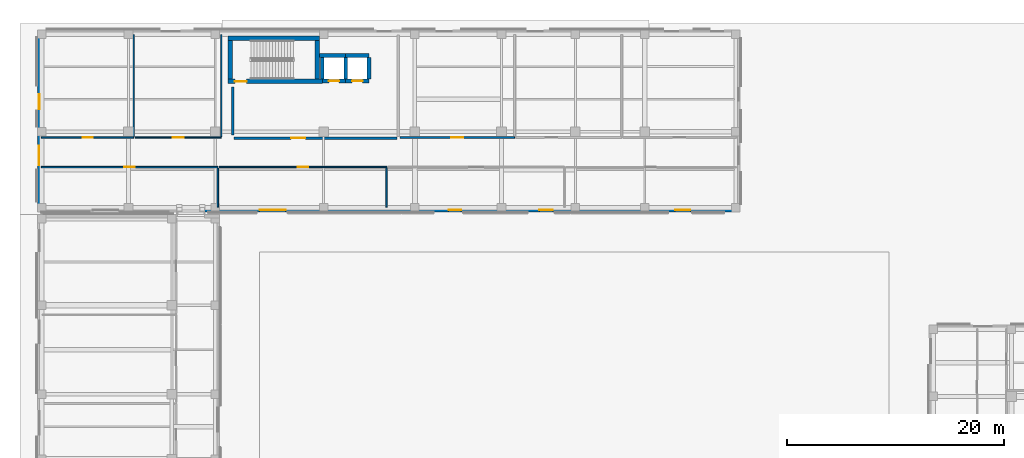
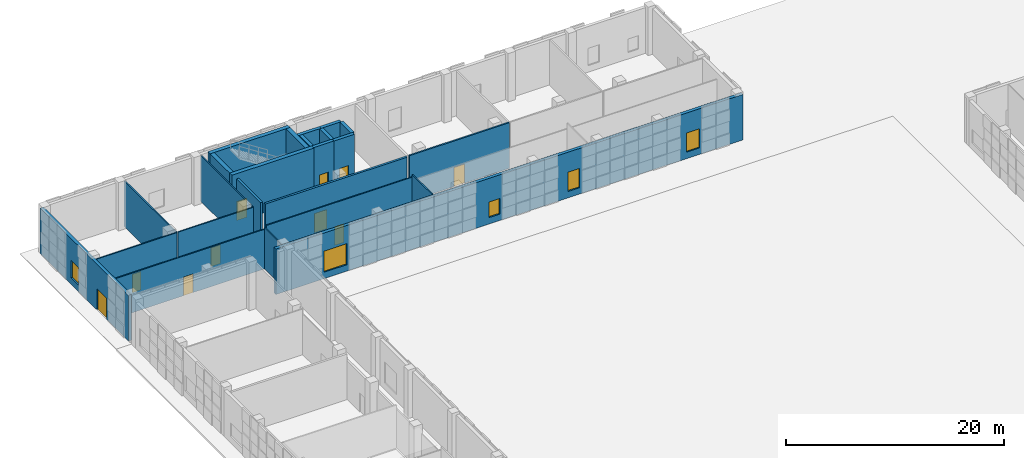
# One storey, part 14 of 40: 24 walls, 10 doors, 5 windows, 15 openings.
"""IFC4 building model written with IfcOpenShell, lengths in metres."""

from ifc_helpers import new_model, si_unit, direction, frame, frame_2d, origin, place, context, subcontext, project, spatial, rectangle, extrude, material, layer, layer_set, type_object, element, fill, save


model = new_model("IFC4")

# Units and contexts
model_context = context("Model", 3, precision=1e-05, world=origin(), true_north=direction((0.0, 1.0)))
body_context = subcontext(model_context, "Body", "Model", "MODEL_VIEW")
ifc_project = project(units=[si_unit("LENGTHUNIT", "METRE"), si_unit("AREAUNIT", "SQUARE_METRE"), si_unit("VOLUMEUNIT", "CUBIC_METRE"), si_unit("PLANEANGLEUNIT", "RADIAN"), si_unit("MASSUNIT", "GRAM", prefix="KILO")], contexts=[model_context])

# Site, building, storey
site_placement = place(None, origin())
site = spatial("IfcSite", under=ifc_project, at=site_placement, CompositionType="ELEMENT")
building_placement = place(site_placement, origin())
building = spatial("IfcBuilding", under=site, at=building_placement, Name="Qalavern Law Courts", CompositionType="ELEMENT")
storey_placement = place(building_placement, origin())
storey = spatial("IfcBuildingStorey", under=building, at=storey_placement, Name="L00", CompositionType="ELEMENT", Elevation=0.0)

# Wall, openings, windows
ifc_material_1 = material(Name="Concrete C40/50", Category="concrete")
ifc_layer_1 = layer(ifc_material_1, 0.340087890625)
ifc_layer_set_1 = layer_set([ifc_layer_1], Name="Concrete C40/50")
wall_type_1 = type_object("IfcWallType", Name="ENV-EW-340", PredefinedType="SOLIDWALL", material=ifc_layer_set_1)
wall_1_placement = place(storey_placement, frame((17.39990234375, 96.3701171875, 0.0), z_axis=(0.0, 0.0, 1.0), x_axis=(1.0, 0.0, 0.0)))
wall_1 = element("IfcWall", 1, at=wall_1_placement, inside=storey, type_object=wall_type_1, Name="V5 exterior wall L00 south 2", PredefinedType="SOLIDWALL", context=body_context, shape_type="SweptSolid", body=[
    extrude(rectangle(XDim=49.400146484375, YDim=0.340087890625, at=frame_2d((24.7001953125, 0.0))), origin(), (0.0, 0.0, 1.0), 5.10009765625),
])
opening_1_placement = place(wall_1_placement, frame((5.10009765625, 0.0, 0.719970703125)))
opening_1 = element("IfcOpeningElement", 2, at=opening_1_placement, cuts=wall_1, Name="Opening WN-38", PredefinedType="OPENING", context=body_context, shape_type="SweptSolid", body=[
    extrude(rectangle(XDim=2.39990234375, YDim=2.35009765625, at=frame_2d((1.199951171875, 1.175048828125))), frame((0.0, 0.18505859375, 0.0), z_axis=(0.0, -1.0, 0.0), x_axis=(1.0, 0.0, 0.0)), (0.0, 0.0, 1.0), 0.369873046875),
])
opening_2_placement = place(wall_1_placement, frame((22.52490234375, 0.0, 0.719970703125)))
opening_2 = element("IfcOpeningElement", 3, at=opening_2_placement, cuts=wall_1, Name="Opening WN-09", PredefinedType="OPENING", context=body_context, shape_type="SweptSolid", body=[
    extrude(rectangle(XDim=1.14990234375, YDim=1.75, at=frame_2d((0.574951171875, 0.875))), frame((0.0, 0.18505859375, 0.0), z_axis=(0.0, -1.0, 0.0), x_axis=(1.0, 0.0, 0.0)), (0.0, 0.0, 1.0), 0.369873046875),
])
opening_3_placement = place(wall_1_placement, frame((30.875, 0.0, 0.719970703125)))
opening_3 = element("IfcOpeningElement", 4, at=opening_3_placement, cuts=wall_1, Name="Opening WN-25", PredefinedType="OPENING", context=body_context, shape_type="SweptSolid", body=[
    extrude(rectangle(XDim=1.25, YDim=2.14990234375, at=frame_2d((0.625, 1.074951171875))), frame((0.0, 0.18505859375, 0.0), z_axis=(0.0, -1.0, 0.0), x_axis=(1.0, 0.0, 0.0)), (0.0, 0.0, 1.0), 0.369873046875),
])
opening_4_placement = place(wall_1_placement, frame((43.39990234375, 0.0, 0.719970703125)))
opening_4 = element("IfcOpeningElement", 5, at=opening_4_placement, cuts=wall_1, Name="Opening WN-26", PredefinedType="OPENING", context=body_context, shape_type="SweptSolid", body=[
    extrude(rectangle(XDim=1.39990234375, YDim=2.14990234375, at=frame_2d((0.699951171875, 1.074951171875))), frame((0.0, 0.18505859375, 0.0), z_axis=(0.0, -1.0, 0.0), x_axis=(1.0, 0.0, 0.0)), (0.0, 0.0, 1.0), 0.369873046875),
])
ifc_material_2 = material(Name="Anodised aluminium frame with low-E double glazing", Category="aluminium")
window_type_1 = type_object("IfcWindowType", Name="ENV-WIN-1150x1750", PartitioningType="SINGLE_PANEL", PredefinedType="WINDOW", material=ifc_material_2)
window_1_placement = place(opening_2_placement, origin())
window_1 = element("IfcWindow", 6, at=window_1_placement, inside=storey, type_object=window_type_1, Name="V5 window L00 south 6", OverallHeight=1.75, OverallWidth=1.14990234375, PartitioningType="SINGLE_PANEL", PredefinedType="WINDOW", context=body_context, shape_type="SweptSolid", body=[
    extrude(rectangle(XDim=1.14990234375, YDim=1.75, at=frame_2d((0.574951171875, 0.875))), frame((0.0, 0.030029296875, 0.0), z_axis=(0.0, -1.0, 0.0), x_axis=(1.0, 0.0, 0.0)), (0.0, 0.0, 1.0), 0.06005859375),
])
fill(opening_2, window_1)
window_type_2 = type_object("IfcWindowType", Name="ENV-WIN-1250x2150", PartitioningType="SINGLE_PANEL", PredefinedType="WINDOW", material=ifc_material_2)
window_2_placement = place(opening_3_placement, origin())
window_2 = element("IfcWindow", 7, at=window_2_placement, inside=storey, type_object=window_type_2, Name="V5 window L00 south 8", OverallHeight=2.14990234375, OverallWidth=1.25, PartitioningType="SINGLE_PANEL", PredefinedType="WINDOW", context=body_context, shape_type="SweptSolid", body=[
    extrude(rectangle(XDim=1.25, YDim=2.14990234375, at=frame_2d((0.625, 1.074951171875))), frame((0.0, 0.030029296875, 0.0), z_axis=(0.0, -1.0, 0.0), x_axis=(1.0, 0.0, 0.0)), (0.0, 0.0, 1.0), 0.06005859375),
])
fill(opening_3, window_2)
window_type_3 = type_object("IfcWindowType", Name="ENV-WIN-1400x2150", PartitioningType="SINGLE_PANEL", PredefinedType="WINDOW", material=ifc_material_2)
window_3_placement = place(opening_4_placement, origin())
window_3 = element("IfcWindow", 8, at=window_3_placement, inside=storey, type_object=window_type_3, Name="V5 window L00 south 11", OverallHeight=2.14990234375, OverallWidth=1.39990234375, PartitioningType="SINGLE_PANEL", PredefinedType="WINDOW", context=body_context, shape_type="SweptSolid", body=[
    extrude(rectangle(XDim=1.39990234375, YDim=2.14990234375, at=frame_2d((0.699951171875, 1.074951171875))), frame((0.0, 0.030029296875, 0.0), z_axis=(0.0, -1.0, 0.0), x_axis=(1.0, 0.0, 0.0)), (0.0, 0.0, 1.0), 0.06005859375),
])
fill(opening_4, window_3)
window_type_4 = type_object("IfcWindowType", Name="ENV-WIN-2400x2350", PartitioningType="SINGLE_PANEL", PredefinedType="WINDOW", material=ifc_material_2)
window_4_placement = place(opening_1_placement, origin())
window_4 = element("IfcWindow", 9, at=window_4_placement, inside=storey, type_object=window_type_4, Name="V5 window L00 south 2", OverallHeight=2.35009765625, OverallWidth=2.39990234375, PartitioningType="SINGLE_PANEL", PredefinedType="WINDOW", context=body_context, shape_type="SweptSolid", body=[
    extrude(rectangle(XDim=2.39990234375, YDim=2.35009765625, at=frame_2d((1.199951171875, 1.175048828125))), frame((0.0, 0.030029296875, 0.0), z_axis=(0.0, -1.0, 0.0), x_axis=(1.0, 0.0, 0.0)), (0.0, 0.0, 1.0), 0.06005859375),
])
fill(opening_1, window_4)

# Wall, openings, door, window
wall_2_placement = place(storey_placement, frame((2.169921875, 112.6650390625, 0.0), z_axis=(0.0, 0.0, 1.0), x_axis=(0.0, -1.0, 0.0)))
wall_2 = element("IfcWall", 10, at=wall_2_placement, inside=storey, type_object=wall_type_1, Name="V5 exterior wall L00 west 1", PredefinedType="SOLIDWALL", context=body_context, shape_type="SweptSolid", body=[
    extrude(rectangle(XDim=16.130126953125, YDim=0.340087890625, at=frame_2d((8.06494140625, 0.0))), origin(), (0.0, 0.0, 1.0), 5.10009765625),
])
opening_5_placement = place(wall_2_placement, frame((10.364990234375, 0.0, 0.0)))
opening_5 = element("IfcOpeningElement", 11, at=opening_5_placement, cuts=wall_2, Name="Opening ED-CORR-V5W", PredefinedType="OPENING", context=body_context, shape_type="SweptSolid", body=[
    extrude(rectangle(XDim=1.800048828125, YDim=2.3798828125, at=frame_2d((0.89990234375, 1.18994140625))), frame((0.0, 0.18505859375, 0.0), z_axis=(0.0, -1.0, 0.0), x_axis=(1.0, 0.0, 0.0)), (0.0, 0.0, 1.0), 0.369873046875),
])
opening_6_placement = place(wall_2_placement, frame((5.625, 0.0, 0.719970703125)))
opening_6 = element("IfcOpeningElement", 12, at=opening_6_placement, cuts=wall_2, Name="Opening WN-18", PredefinedType="OPENING", context=body_context, shape_type="SweptSolid", body=[
    extrude(rectangle(XDim=1.35009765625, YDim=1.949951171875, at=frame_2d((0.675048828125, 0.97509765625))), frame((0.0, 0.18505859375, 0.0), z_axis=(0.0, -1.0, 0.0), x_axis=(1.0, 0.0, 0.0)), (0.0, 0.0, 1.0), 0.369873046875),
])
ifc_material_3 = material(Name="Thermally broken anodised aluminium and laminated safety glass", Category="aluminium")
door_type_1 = type_object("IfcDoorType", Name="ENV-ED-1800x2380", OperationType="DOUBLE_DOOR_SINGLE_SWING", PredefinedType="DOOR", material=ifc_material_3)
door_1_placement = place(opening_5_placement, frame((1.800048828125, 0.0, 0.0), z_axis=(0.0, 0.0, 1.0), x_axis=(-1.0, 0.0, 0.0)))
door_1 = element("IfcDoor", 13, at=door_1_placement, inside=storey, type_object=door_type_1, Name="Ground pedestrian exit door ED-CORR-V5W", OperationType="DOUBLE_DOOR_SINGLE_SWING", OverallHeight=2.3798828125, OverallWidth=1.800048828125, PredefinedType="DOOR", context=body_context, shape_type="SweptSolid", body=[
    extrude(rectangle(XDim=1.800048828125, YDim=2.3798828125, at=frame_2d((0.89990234375, 1.18994140625))), frame((0.0, 0.02490234375, 0.0), z_axis=(0.0, -1.0, 0.0), x_axis=(1.0, 0.0, 0.0)), (0.0, 0.0, 1.0), 0.050048828125),
])
fill(opening_5, door_1)
window_type_5 = type_object("IfcWindowType", Name="ENV-WIN-1350x1950", PartitioningType="SINGLE_PANEL", PredefinedType="WINDOW", material=ifc_material_2)
window_5_placement = place(opening_6_placement, origin())
window_5 = element("IfcWindow", 14, at=window_5_placement, inside=storey, type_object=window_type_5, Name="V5 window L00 west 2", OverallHeight=1.949951171875, OverallWidth=1.35009765625, PartitioningType="SINGLE_PANEL", PredefinedType="WINDOW", context=body_context, shape_type="SweptSolid", body=[
    extrude(rectangle(XDim=1.35009765625, YDim=1.949951171875, at=frame_2d((0.675048828125, 0.97509765625))), frame((0.0, 0.030029296875, 0.0), z_axis=(0.0, -1.0, 0.0), x_axis=(1.0, 0.0, 0.0)), (0.0, 0.0, 1.0), 0.06005859375),
])
fill(opening_6, window_5)

# Wall, opening, door
ifc_material_4 = material(Name="Concrete C45/55", Category="concrete")
ifc_layer_2 = layer(ifc_material_4, 0.4150390625)
ifc_layer_set_2 = layer_set([ifc_layer_2], Name="Concrete C45/55")
wall_type_2 = type_object("IfcWallType", Name="INT-CW-415", PredefinedType="SHEAR", material=ifc_layer_set_2)
wall_3_placement = place(storey_placement, frame((19.5849609375, 108.242431640625, 0.0), z_axis=(0.0, 0.0, 1.0), x_axis=(1.0, 0.0, 0.0)))
wall_3 = element("IfcWall", 15, at=wall_3_placement, inside=storey, type_object=wall_type_2, Name="Core K3 stair shear wall L00 south", PredefinedType="SHEAR", context=body_context, shape_type="SweptSolid", body=[
    extrude(rectangle(XDim=8.689453125, YDim=0.4150390625, at=frame_2d((4.3447265625, 0.0))), origin(), (0.0, 0.0, 1.0), 5.39990234375),
])
opening_7_placement = place(wall_3_placement, frame((0.614990234375, 0.0, 0.0)))
opening_7 = element("IfcOpeningElement", 16, at=opening_7_placement, cuts=wall_3, Name="Opening L00-D073", PredefinedType="OPENING", context=body_context, shape_type="SweptSolid", body=[
    extrude(rectangle(XDim=1.10009765625, YDim=2.14990234375, at=frame_2d((0.550048828125, 1.074951171875))), frame((0.0, 0.222412109375, 0.0), z_axis=(0.0, -1.0, 0.0), x_axis=(1.0, 0.0, 0.0)), (0.0, 0.0, 1.0), 0.44482421875),
])
ifc_material_5 = material(Name="Steel fire-rated stair enclosure door", Category="steel")
door_type_2 = type_object("IfcDoorType", Name="INT-FD-1100x2150", OperationType="NOTDEFINED", PredefinedType="DOOR", material=ifc_material_5)
door_2_placement = place(opening_7_placement, frame((1.10009765625, 0.0, 0.0), z_axis=(0.0, 0.0, 1.0), x_axis=(-1.0, 0.0, 0.0)))
door_2 = element("IfcDoor", 17, at=door_2_placement, inside=storey, type_object=door_type_2, Name="Stair K3 fire door L00", OperationType="SINGLE_SWING_LEFT", OverallHeight=2.14990234375, OverallWidth=1.10009765625, PredefinedType="DOOR", context=body_context, shape_type="SweptSolid", body=[
    extrude(rectangle(XDim=1.10009765625, YDim=2.14990234375, at=frame_2d((0.550048828125, 1.074951171875))), frame((0.0, 0.02490234375, 0.0), z_axis=(0.0, -1.0, 0.0), x_axis=(1.0, 0.0, 0.0)), (0.0, 0.0, 1.0), 0.050048828125),
])
fill(opening_7, door_2)

# Walls
wall_4_placement = place(storey_placement, frame((27.8076171875, 108.449951171875, 0.0), z_axis=(0.0, 0.0, 1.0), x_axis=(0.0, 1.0, 0.0)))
element("IfcWall", 18, at=wall_4_placement, inside=storey, type_object=wall_type_2, Name="Core K3 stair shear wall L00 east", PredefinedType="SHEAR", context=body_context, shape_type="SweptSolid", body=[
    extrude(rectangle(XDim=3.550048828125, YDim=0.4150390625, at=frame_2d((1.77490234375, 0.0))), origin(), (0.0, 0.0, 1.0), 5.39990234375),
])
wall_5_placement = place(storey_placement, frame((28.014892578125, 112.20751953125, 0.0), z_axis=(0.0, 0.0, 1.0), x_axis=(-1.0, 0.0, 0.0)))
element("IfcWall", 19, at=wall_5_placement, inside=storey, type_object=wall_type_2, Name="Core K3 stair shear wall L00 north", PredefinedType="SHEAR", context=body_context, shape_type="SweptSolid", body=[
    extrude(rectangle(XDim=8.429931640625, YDim=0.4150390625, at=frame_2d((4.21484375, 0.0))), origin(), (0.0, 0.0, 1.0), 5.39990234375),
])
wall_6_placement = place(storey_placement, frame((19.79248046875, 112.0, 0.0), z_axis=(0.0, 0.0, 1.0), x_axis=(0.0, -1.0, 0.0)))
element("IfcWall", 20, at=wall_6_placement, inside=storey, type_object=wall_type_2, Name="Core K3 stair shear wall L00 west", PredefinedType="SHEAR", context=body_context, shape_type="SweptSolid", body=[
    extrude(rectangle(XDim=3.550048828125, YDim=0.4150390625, at=frame_2d((1.77490234375, 0.0))), origin(), (0.0, 0.0, 1.0), 5.39990234375),
])

# Wall, opening, door
ifc_layer_3 = layer(ifc_material_1, 0.22509765625)
ifc_layer_set_3 = layer_set([ifc_layer_3], Name="Concrete C40/50")
wall_type_3 = type_object("IfcWallType", Name="INT-FW-225", PredefinedType="PARTITIONING", material=ifc_layer_set_3)
wall_7_placement = place(storey_placement, frame((20.14990234375, 103.0, 0.0), z_axis=(0.0, 0.0, 1.0), x_axis=(1.0, 0.0, 0.0)))
wall_7 = element("IfcWall", 21, at=wall_7_placement, inside=storey, type_object=wall_type_3, Name="Core K3 firefighting/stair lobby fire wall L00", PredefinedType="PARTITIONING", context=body_context, shape_type="SweptSolid", body=[
    extrude(rectangle(XDim=15.0, YDim=0.22509765625, at=frame_2d((7.5, 0.0))), origin(), (0.0, 0.0, 1.0), 5.10009765625),
])
opening_8_placement = place(wall_7_placement, frame((5.25, 0.0, 0.0)))
opening_8 = element("IfcOpeningElement", 22, at=opening_8_placement, cuts=wall_7, Name="Opening L00-D074", PredefinedType="OPENING", context=body_context, shape_type="SweptSolid", body=[
    extrude(rectangle(XDim=1.300048828125, YDim=2.14990234375, at=frame_2d((0.64990234375, 1.074951171875))), frame((0.0, 0.12744140625, 0.0), z_axis=(0.0, -1.0, 0.0), x_axis=(1.0, 0.0, 0.0)), (0.0, 0.0, 1.0), 0.2548828125),
])
ifc_material_6 = material(Name="Steel fire-rated frame and acoustic timber leaves", Category="steel")
door_type_3 = type_object("IfcDoorType", Name="INT-FD-1300x2150", OperationType="DOUBLE_DOOR_SINGLE_SWING", PredefinedType="DOOR", material=ifc_material_6)
door_3_placement = place(opening_8_placement, origin())
door_3 = element("IfcDoor", 23, at=door_3_placement, inside=storey, type_object=door_type_3, Name="Core K3 lobby fire door L00", OperationType="DOUBLE_DOOR_SINGLE_SWING", OverallHeight=2.14990234375, OverallWidth=1.300048828125, PredefinedType="DOOR", context=body_context, shape_type="SweptSolid", body=[
    extrude(rectangle(XDim=1.300048828125, YDim=2.14990234375, at=frame_2d((0.64990234375, 1.074951171875))), frame((0.0, 0.02490234375, 0.0), z_axis=(0.0, -1.0, 0.0), x_axis=(1.0, 0.0, 0.0)), (0.0, 0.0, 1.0), 0.050048828125),
])
fill(opening_8, door_3)

# Wall
wall_8_placement = place(storey_placement, frame((20.0, 103.300048828125, 0.0), z_axis=(0.0, 0.0, 1.0), x_axis=(0.0, 1.0, 0.0)))
element("IfcWall", 24, at=wall_8_placement, inside=storey, type_object=wall_type_3, Name="Core K3 lobby return wall L00 west", PredefinedType="PARTITIONING", context=body_context, shape_type="SweptSolid", body=[
    extrude(rectangle(XDim=4.39990234375, YDim=0.22509765625, at=frame_2d((2.199951171875, 0.0))), origin(), (0.0, 0.0, 1.0), 5.10009765625),
])

# Wall, opening, door
ifc_material_7 = material(Name="Gypsum stud partition")
ifc_layer_4 = layer(ifc_material_7, 0.1220703125)
ifc_layer_set_4 = layer_set([ifc_layer_4], Name="Gypsum stud partition")
wall_type_4 = type_object("IfcWallType", Name="INT-PW-122", PredefinedType="PARTITIONING", material=ifc_layer_set_4)
wall_9_placement = place(storey_placement, frame((18.7548828125, 100.340087890625, 0.0), z_axis=(0.0, 0.0, 1.0), x_axis=(1.0, 0.0, 0.0)))
wall_9 = element("IfcWall", 25, at=wall_9_placement, inside=storey, type_object=wall_type_4, Name="Court Administration Office corridor partition L00", PredefinedType="PARTITIONING", context=body_context, shape_type="SweptSolid", body=[
    extrude(rectangle(XDim=15.447021484375, YDim=0.1220703125, at=frame_2d((7.7236328125, 0.0))), origin(), (0.0, 0.0, 1.0), 4.780029296875),
])
opening_9_placement = place(wall_9_placement, frame((7.243408203125, 0.0, 0.0)))
opening_9 = element("IfcOpeningElement", 26, at=opening_9_placement, cuts=wall_9, Name="Opening L00-D342", PredefinedType="OPENING", context=body_context, shape_type="SweptSolid", body=[
    extrude(rectangle(XDim=0.9599609375, YDim=2.080078125, at=frame_2d((0.47998046875, 1.0400390625))), frame((0.0, 0.075927734375, 0.0), z_axis=(0.0, -1.0, 0.0), x_axis=(1.0, 0.0, 0.0)), (0.0, 0.0, 1.0), 0.15185546875),
])
ifc_material_8 = material(Name="Timber Counsel Consultation door", Category="wood")
door_type_4 = type_object("IfcDoorType", Name="INT-ID-960x2080", OperationType="NOTDEFINED", PredefinedType="DOOR", material=ifc_material_8)
door_4_placement = place(opening_9_placement, frame((0.9599609375, 0.0, 0.0), z_axis=(0.0, 0.0, 1.0), x_axis=(-1.0, 0.0, 0.0)))
door_4 = element("IfcDoor", 27, at=door_4_placement, inside=storey, type_object=door_type_4, Name="Court Administration Office door L00", OperationType="SINGLE_SWING_LEFT", OverallHeight=2.080078125, OverallWidth=0.9599609375, PredefinedType="DOOR", context=body_context, shape_type="SweptSolid", body=[
    extrude(rectangle(XDim=0.9599609375, YDim=2.080078125, at=frame_2d((0.47998046875, 1.0400390625))), frame((0.0, 0.02490234375, 0.0), z_axis=(0.0, -1.0, 0.0), x_axis=(1.0, 0.0, 0.0)), (0.0, 0.0, 1.0), 0.050048828125),
])
fill(opening_9, door_4)

# Wall
wall_10_placement = place(storey_placement, frame((34.201904296875, 96.639892578125, 0.0), z_axis=(0.0, 0.0, 1.0), x_axis=(0.0, 1.0, 0.0)))
element("IfcWall", 28, at=wall_10_placement, inside=storey, type_object=wall_type_4, Name="Court Administration Office cross partition L00 east", PredefinedType="PARTITIONING", context=body_context, shape_type="SweptSolid", body=[
    extrude(rectangle(XDim=3.619140625, YDim=0.1220703125, at=frame_2d((1.8095703125, 0.0))), origin(), (0.0, 0.0, 1.0), 5.10009765625),
])

# Wall, opening, door
wall_11_placement = place(storey_placement, frame((11.0048828125, 103.06005859375, 0.0), z_axis=(0.0, 0.0, 1.0), x_axis=(1.0, 0.0, 0.0)))
wall_11 = element("IfcWall", 29, at=wall_11_placement, inside=storey, type_object=wall_type_4, Name="Judicial Entrance Hall corridor partition L00", PredefinedType="PARTITIONING", context=body_context, shape_type="SweptSolid", body=[
    extrude(rectangle(XDim=7.955078125, YDim=0.1220703125, at=frame_2d((3.9775390625, 0.0))), origin(), (0.0, 0.0, 1.0), 5.10009765625),
])
opening_10_placement = place(wall_11_placement, frame((3.4775390625, 0.0, 0.0)))
opening_10 = element("IfcOpeningElement", 30, at=opening_10_placement, cuts=wall_11, Name="Opening L00-D349", PredefinedType="OPENING", context=body_context, shape_type="SweptSolid", body=[
    extrude(rectangle(XDim=1.0, YDim=2.10009765625, at=frame_2d((0.5, 1.050048828125))), frame((0.0, 0.075927734375, 0.0), z_axis=(0.0, -1.0, 0.0), x_axis=(1.0, 0.0, 0.0)), (0.0, 0.0, 1.0), 0.15185546875),
])
ifc_material_9 = material(Name="Timber Judicial Clerks' Office door", Category="wood")
door_type_5 = type_object("IfcDoorType", Name="INT-ID-1000x2100", OperationType="NOTDEFINED", PredefinedType="DOOR", material=ifc_material_9)
door_5_placement = place(opening_10_placement, origin())
door_5 = element("IfcDoor", 31, at=door_5_placement, inside=storey, type_object=door_type_5, Name="Judicial Entrance Hall door L00", OperationType="SINGLE_SWING_RIGHT", OverallHeight=2.10009765625, OverallWidth=1.0, PredefinedType="DOOR", context=body_context, shape_type="SweptSolid", body=[
    extrude(rectangle(XDim=1.0, YDim=2.10009765625, at=frame_2d((0.5, 1.050048828125))), frame((0.0, 0.02490234375, 0.0), z_axis=(0.0, -1.0, 0.0), x_axis=(1.0, 0.0, 0.0)), (0.0, 0.0, 1.0), 0.050048828125),
])
fill(opening_10, door_5)

# Wall
wall_12_placement = place(storey_placement, frame((18.9599609375, 103.14111328125, 0.0), z_axis=(0.0, 0.0, 1.0), x_axis=(0.0, 1.0, 0.0)))
element("IfcWall", 32, at=wall_12_placement, inside=storey, type_object=wall_type_4, Name="Judicial Entrance Hall cross partition L00 east", PredefinedType="PARTITIONING", context=body_context, shape_type="SweptSolid", body=[
    extrude(rectangle(XDim=9.4189453125, YDim=0.1220703125, at=frame_2d((4.70947265625, 0.0))), origin(), (0.0, 0.0, 1.0), 5.10009765625),
])

# Wall, opening, door
ifc_layer_5 = layer(ifc_material_7, 0.132080078125)
ifc_layer_set_5 = layer_set([ifc_layer_5], Name="Gypsum stud partition")
wall_type_5 = type_object("IfcWallType", Name="INT-PW-132", PredefinedType="PARTITIONING", material=ifc_layer_set_5)
wall_13_placement = place(storey_placement, frame((2.3798828125, 100.340087890625, 0.0), z_axis=(0.0, 0.0, 1.0), x_axis=(1.0, 0.0, 0.0)))
wall_13 = element("IfcWall", 33, at=wall_13_placement, inside=storey, type_object=wall_type_5, Name="Judicial Entrance Hall corridor partition L00", PredefinedType="PARTITIONING", context=body_context, shape_type="SweptSolid", body=[
    extrude(rectangle(XDim=16.255126953125, YDim=0.132080078125, at=frame_2d((8.12744140625, 0.0))), origin(), (0.0, 0.0, 1.0), 4.429931640625),
])
opening_11_placement = place(wall_13_placement, frame((7.637451171875, 0.0, 0.0)))
opening_11 = element("IfcOpeningElement", 34, at=opening_11_placement, cuts=wall_13, Name="Opening L00-D341", PredefinedType="OPENING", context=body_context, shape_type="SweptSolid", body=[
    extrude(rectangle(XDim=0.97998046875, YDim=2.090087890625, at=frame_2d((0.489990234375, 1.044921875))), frame((0.0, 0.0810546875, 0.0), z_axis=(0.0, -1.0, 0.0), x_axis=(1.0, 0.0, 0.0)), (0.0, 0.0, 1.0), 0.161865234375),
])
ifc_material_10 = material(Name="Timber Legal Research Office door", Category="wood")
door_type_6 = type_object("IfcDoorType", Name="INT-ID-980x2090", OperationType="NOTDEFINED", PredefinedType="DOOR", material=ifc_material_10)
door_6_placement = place(opening_11_placement, frame((0.97998046875, 0.0, 0.0), z_axis=(0.0, 0.0, 1.0), x_axis=(-1.0, 0.0, 0.0)))
door_6 = element("IfcDoor", 35, at=door_6_placement, inside=storey, type_object=door_type_6, Name="Judicial Entrance Hall door L00", OperationType="SINGLE_SWING_RIGHT", OverallHeight=2.090087890625, OverallWidth=0.97998046875, PredefinedType="DOOR", context=body_context, shape_type="SweptSolid", body=[
    extrude(rectangle(XDim=0.97998046875, YDim=2.090087890625, at=frame_2d((0.489990234375, 1.044921875))), frame((0.0, 0.02490234375, 0.0), z_axis=(0.0, -1.0, 0.0), x_axis=(1.0, 0.0, 0.0)), (0.0, 0.0, 1.0), 0.050048828125),
])
fill(opening_11, door_6)

# Wall
wall_14_placement = place(storey_placement, frame((18.635009765625, 96.639892578125, 0.0), z_axis=(0.0, 0.0, 1.0), x_axis=(0.0, 1.0, 0.0)))
element("IfcWall", 36, at=wall_14_placement, inside=storey, type_object=wall_type_5, Name="Judicial Entrance Hall cross partition L00 east", PredefinedType="PARTITIONING", context=body_context, shape_type="SweptSolid", body=[
    extrude(rectangle(XDim=3.614013671875, YDim=0.132080078125, at=frame_2d((1.80712890625, 0.0))), origin(), (0.0, 0.0, 1.0), 4.580078125),
])

# Wall, opening, door
wall_15_placement = place(storey_placement, frame((2.3798828125, 103.06005859375, 0.0), z_axis=(0.0, 0.0, 1.0), x_axis=(1.0, 0.0, 0.0)))
wall_15 = element("IfcWall", 37, at=wall_15_placement, inside=storey, type_object=wall_type_5, Name="Accessible WC corridor partition L00", PredefinedType="PARTITIONING", context=body_context, shape_type="SweptSolid", body=[
    extrude(rectangle(XDim=8.505126953125, YDim=0.132080078125, at=frame_2d((4.25244140625, 0.0))), origin(), (0.0, 0.0, 1.0), 5.10009765625),
])
opening_12_placement = place(wall_15_placement, frame((3.79248046875, 0.0, 0.0)))
opening_12 = element("IfcOpeningElement", 38, at=opening_12_placement, cuts=wall_15, Name="Opening L00-D348", PredefinedType="OPENING", context=body_context, shape_type="SweptSolid", body=[
    extrude(rectangle(XDim=0.919921875, YDim=2.06005859375, at=frame_2d((0.4599609375, 1.030029296875))), frame((0.0, 0.0810546875, 0.0), z_axis=(0.0, -1.0, 0.0), x_axis=(1.0, 0.0, 0.0)), (0.0, 0.0, 1.0), 0.161865234375),
])
ifc_material_11 = material(Name="Public and Staff WC door")
door_type_7 = type_object("IfcDoorType", Name="INT-ID-920x2060", OperationType="NOTDEFINED", PredefinedType="DOOR", material=ifc_material_11)
door_7_placement = place(opening_12_placement, origin())
door_7 = element("IfcDoor", 39, at=door_7_placement, inside=storey, type_object=door_type_7, Name="Accessible WC door L00", OperationType="SINGLE_SWING_LEFT", OverallHeight=2.06005859375, OverallWidth=0.919921875, PredefinedType="DOOR", context=body_context, shape_type="SweptSolid", body=[
    extrude(rectangle(XDim=0.919921875, YDim=2.06005859375, at=frame_2d((0.4599609375, 1.030029296875))), frame((0.0, 0.02490234375, 0.0), z_axis=(0.0, -1.0, 0.0), x_axis=(1.0, 0.0, 0.0)), (0.0, 0.0, 1.0), 0.050048828125),
])
fill(opening_12, door_7)

# Wall
wall_16_placement = place(storey_placement, frame((10.885009765625, 103.14599609375, 0.0), z_axis=(0.0, 0.0, 1.0), x_axis=(0.0, 1.0, 0.0)))
element("IfcWall", 40, at=wall_16_placement, inside=storey, type_object=wall_type_5, Name="Accessible WC cross partition L00 east", PredefinedType="PARTITIONING", context=body_context, shape_type="SweptSolid", body=[
    extrude(rectangle(XDim=9.4140625, YDim=0.132080078125, at=frame_2d((4.70703125, 0.0))), origin(), (0.0, 0.0, 1.0), 5.10009765625),
])

# Wall, opening, door
ifc_layer_6 = layer(ifc_material_7, 0.162109375)
ifc_layer_set_6 = layer_set([ifc_layer_6], Name="Gypsum stud partition")
wall_type_6 = type_object("IfcWallType", Name="INT-PW-162", PredefinedType="PARTITIONING", material=ifc_layer_set_6)
wall_17_placement = place(storey_placement, frame((35.43994140625, 103.06005859375, 0.0), z_axis=(0.0, 0.0, 1.0), x_axis=(1.0, 0.0, 0.0)))
wall_17 = element("IfcWall", 41, at=wall_17_placement, inside=storey, type_object=wall_type_6, Name="Judicial Entrance Hall corridor partition L00", PredefinedType="PARTITIONING", context=body_context, shape_type="SweptSolid", body=[
    extrude(rectangle(XDim=10.56201171875, YDim=0.162109375, at=frame_2d((5.281005859375, 0.0))), origin(), (0.0, 0.0, 1.0), 5.10009765625),
])
opening_13_placement = place(wall_17_placement, frame((4.720947265625, 0.0, 0.0)))
opening_13 = element("IfcOpeningElement", 42, at=opening_13_placement, cuts=wall_17, Name="Opening L00-D345", PredefinedType="OPENING", context=body_context, shape_type="SweptSolid", body=[
    extrude(rectangle(XDim=1.1201171875, YDim=2.139892578125, at=frame_2d((0.56005859375, 1.06982421875))), frame((0.0, 0.095947265625, 0.0), z_axis=(0.0, -1.0, 0.0), x_axis=(1.0, 0.0, 0.0)), (0.0, 0.0, 1.0), 0.19189453125),
])
ifc_material_12 = material(Name="Solid oak Appellate Chambers door")
door_type_8 = type_object("IfcDoorType", Name="INT-ID-1120x2140", OperationType="NOTDEFINED", PredefinedType="DOOR", material=ifc_material_12)
door_8_placement = place(opening_13_placement, origin())
door_8 = element("IfcDoor", 43, at=door_8_placement, inside=storey, type_object=door_type_8, Name="Judicial Entrance Hall door L00", OperationType="SINGLE_SWING_RIGHT", OverallHeight=2.139892578125, OverallWidth=1.1201171875, PredefinedType="DOOR", context=body_context, shape_type="SweptSolid", body=[
    extrude(rectangle(XDim=1.1201171875, YDim=2.139892578125, at=frame_2d((0.56005859375, 1.06982421875))), frame((0.0, 0.02490234375, 0.0), z_axis=(0.0, -1.0, 0.0), x_axis=(1.0, 0.0, 0.0)), (0.0, 0.0, 1.0), 0.050048828125),
])
fill(opening_13, door_8)

ifc_layer_7 = layer(ifc_material_4, 0.344970703125)
ifc_layer_set_7 = layer_set([ifc_layer_7], Name="Concrete C45/55")
wall_type_7 = type_object("IfcWallType", Name="INT-SW-345", PredefinedType="SHEAR", material=ifc_layer_set_7)
wall_18_placement = place(storey_placement, frame((28.277587890625, 108.277587890625, 0.0), z_axis=(0.0, 0.0, 1.0), x_axis=(1.0, 0.0, 0.0)))
wall_18 = element("IfcWall", 44, at=wall_18_placement, inside=storey, type_object=wall_type_7, Name="Lift LF-J1 shaft wall L00 south", PredefinedType="SHEAR", context=body_context, shape_type="SweptSolid", body=[
    extrude(rectangle(XDim=2.14501953125, YDim=0.344970703125, at=frame_2d((1.072509765625, 0.0))), origin(), (0.0, 0.0, 1.0), 5.39990234375),
])
opening_14_placement = place(wall_18_placement, frame((0.592529296875, 0.0, 0.0)))
opening_14 = element("IfcOpeningElement", 45, at=opening_14_placement, cuts=wall_18, Name="Opening LD-LF-J1-L00", PredefinedType="OPENING", context=body_context, shape_type="SweptSolid", body=[
    extrude(rectangle(XDim=0.9599609375, YDim=2.1201171875, at=frame_2d((0.47998046875, 1.06005859375))), frame((0.0, 0.1875, 0.0), z_axis=(0.0, -1.0, 0.0), x_axis=(1.0, 0.0, 0.0)), (0.0, 0.0, 1.0), 0.374755859375),
])
ifc_material_13 = material(Name="Heavy-gauge steel judicial lift sliding landing door", Category="steel")
door_type_9 = type_object("IfcDoorType", Name="INT-LD-960x2120", OperationType="SLIDING_TO_LEFT", PredefinedType="DOOR", material=ifc_material_13)
door_9_placement = place(opening_14_placement, origin())
door_9 = element("IfcDoor", 46, at=door_9_placement, inside=storey, type_object=door_type_9, Name="Lift LF-J1 sliding landing door L00", OperationType="SLIDING_TO_LEFT", OverallHeight=2.1201171875, OverallWidth=0.9599609375, PredefinedType="DOOR", context=body_context, shape_type="SweptSolid", body=[
    extrude(rectangle(XDim=0.9599609375, YDim=2.1201171875, at=frame_2d((0.47998046875, 1.06005859375))), frame((0.0, 0.02490234375, 0.0), z_axis=(0.0, -1.0, 0.0), x_axis=(1.0, 0.0, 0.0)), (0.0, 0.0, 1.0), 0.050048828125),
])
fill(opening_14, door_9)

# Walls
wall_19_placement = place(storey_placement, frame((30.422607421875, 108.449951171875, 0.0), z_axis=(0.0, 0.0, 1.0), x_axis=(0.0, 1.0, 0.0)))
element("IfcWall", 47, at=wall_19_placement, inside=storey, type_object=wall_type_7, Name="Lift LF-J1 shaft wall L00 east", PredefinedType="SHEAR", context=body_context, shape_type="SweptSolid", body=[
    extrude(rectangle(XDim=2.0, YDim=0.344970703125, at=frame_2d((1.0, 0.0))), origin(), (0.0, 0.0, 1.0), 5.39990234375),
])
wall_20_placement = place(storey_placement, frame((30.422607421875, 110.62255859375, 0.0), z_axis=(0.0, 0.0, 1.0), x_axis=(-1.0, 0.0, 0.0)))
element("IfcWall", 48, at=wall_20_placement, inside=storey, type_object=wall_type_7, Name="Lift LF-J1 shaft wall L00 north", PredefinedType="SHEAR", context=body_context, shape_type="SweptSolid", body=[
    extrude(rectangle(XDim=2.404541015625, YDim=0.344970703125, at=frame_2d((1.2021484375, 0.0))), origin(), (0.0, 0.0, 1.0), 5.39990234375),
])
wall_21_placement = place(storey_placement, frame((28.277587890625, 110.449951171875, 0.0), z_axis=(0.0, 0.0, 1.0), x_axis=(0.0, -1.0, 0.0)))
element("IfcWall", 49, at=wall_21_placement, inside=storey, type_object=wall_type_7, Name="Lift LF-J1 shaft wall L00 west", PredefinedType="SHEAR", context=body_context, shape_type="SweptSolid", body=[
    extrude(rectangle(XDim=2.0, YDim=0.344970703125, at=frame_2d((1.0, 0.0))), origin(), (0.0, 0.0, 1.0), 5.39990234375),
])

# Wall, opening, door
wall_22_placement = place(storey_placement, frame((30.427490234375, 108.277587890625, 0.0), z_axis=(0.0, 0.0, 1.0), x_axis=(1.0, 0.0, 0.0)))
wall_22 = element("IfcWall", 50, at=wall_22_placement, inside=storey, type_object=wall_type_7, Name="Lift LF-J2 shaft wall L00 south", PredefinedType="SHEAR", context=body_context, shape_type="SweptSolid", body=[
    extrude(rectangle(XDim=2.14501953125, YDim=0.344970703125, at=frame_2d((1.072509765625, 0.0))), origin(), (0.0, 0.0, 1.0), 5.39990234375),
])
opening_15_placement = place(wall_22_placement, frame((0.592529296875, 0.0, 0.0)))
opening_15 = element("IfcOpeningElement", 51, at=opening_15_placement, cuts=wall_22, Name="Opening LD-LF-J2-L00", PredefinedType="OPENING", context=body_context, shape_type="SweptSolid", body=[
    extrude(rectangle(XDim=0.9599609375, YDim=2.1201171875, at=frame_2d((0.47998046875, 1.06005859375))), frame((0.0, 0.1875, 0.0), z_axis=(0.0, -1.0, 0.0), x_axis=(1.0, 0.0, 0.0)), (0.0, 0.0, 1.0), 0.374755859375),
])
door_10_placement = place(opening_15_placement, origin())
door_10 = element("IfcDoor", 52, at=door_10_placement, inside=storey, type_object=door_type_9, Name="Lift LF-J2 sliding landing door L00", OperationType="SLIDING_TO_LEFT", OverallHeight=2.1201171875, OverallWidth=0.9599609375, PredefinedType="DOOR", context=body_context, shape_type="SweptSolid", body=[
    extrude(rectangle(XDim=0.9599609375, YDim=2.1201171875, at=frame_2d((0.47998046875, 1.06005859375))), frame((0.0, 0.02490234375, 0.0), z_axis=(0.0, -1.0, 0.0), x_axis=(1.0, 0.0, 0.0)), (0.0, 0.0, 1.0), 0.050048828125),
])
fill(opening_15, door_10)

# Walls
wall_23_placement = place(storey_placement, frame((32.572509765625, 108.449951171875, 0.0), z_axis=(0.0, 0.0, 1.0), x_axis=(0.0, 1.0, 0.0)))
element("IfcWall", 53, at=wall_23_placement, inside=storey, type_object=wall_type_7, Name="Lift LF-J2 shaft wall L00 east", PredefinedType="SHEAR", context=body_context, shape_type="SweptSolid", body=[
    extrude(rectangle(XDim=2.0, YDim=0.344970703125, at=frame_2d((1.0, 0.0))), origin(), (0.0, 0.0, 1.0), 5.39990234375),
])
wall_24_placement = place(storey_placement, frame((32.572509765625, 110.62255859375, 0.0), z_axis=(0.0, 0.0, 1.0), x_axis=(-1.0, 0.0, 0.0)))
element("IfcWall", 54, at=wall_24_placement, inside=storey, type_object=wall_type_7, Name="Lift LF-J2 shaft wall L00 north", PredefinedType="SHEAR", context=body_context, shape_type="SweptSolid", body=[
    extrude(rectangle(XDim=2.14501953125, YDim=0.344970703125, at=frame_2d((1.072509765625, 0.0))), origin(), (0.0, 0.0, 1.0), 5.39990234375),
])

save(model, "model.ifc")
